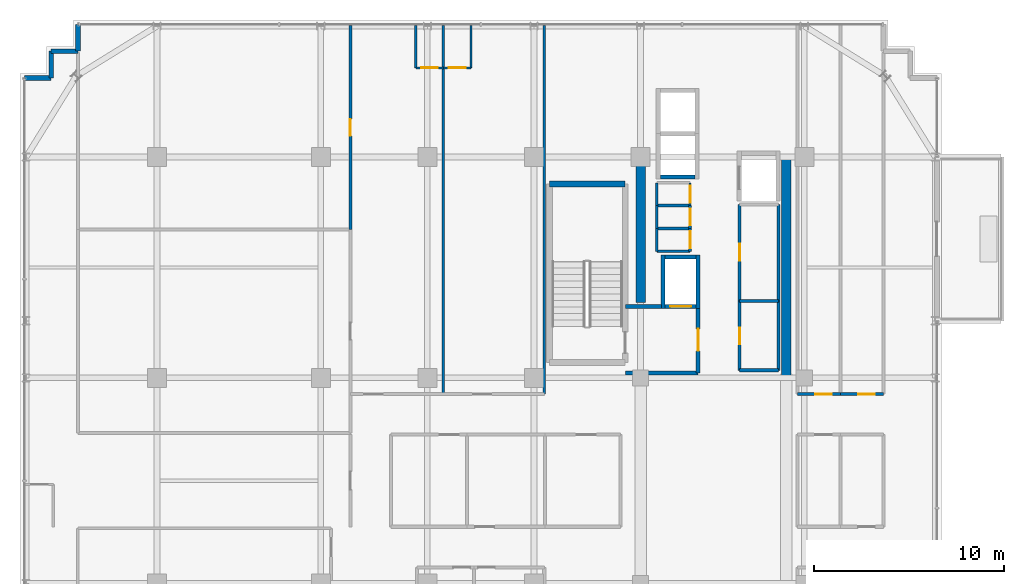
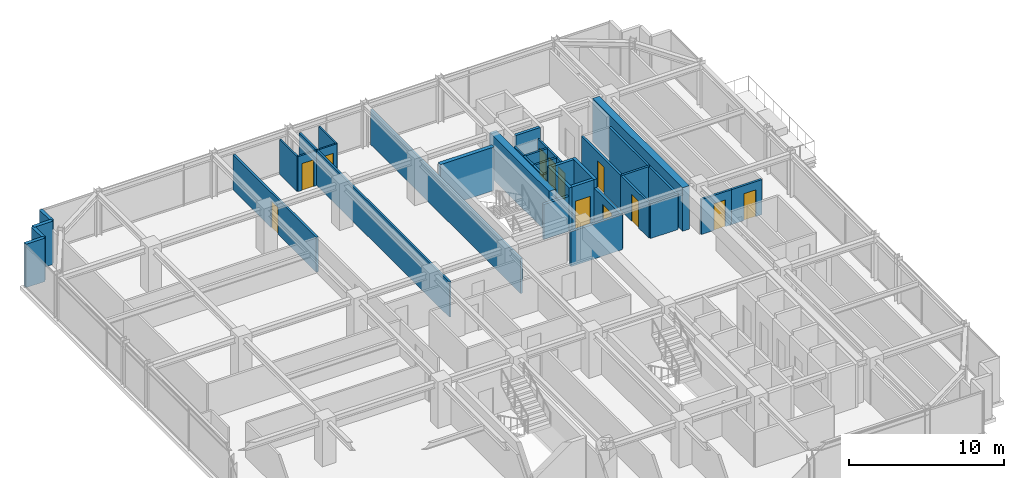
# One storey, part 32 of 36: 39 walls, 12 doors, 12 openings.
"""IFC4 building model written with IfcOpenShell, lengths in metres."""

from ifc_helpers import new_model, si_unit, direction, frame, frame_2d, origin, place, context, subcontext, project, spatial, rectangle, extrude, source, transform, mapped, material, layer, layer_set, type_object, element, fill, save


model = new_model("IFC4")

# Units and contexts
model_context = context("Model", 3, precision=1e-05, world=origin(), true_north=direction((0.0, 1.0)))
body_context = subcontext(model_context, "Body", "Model", "MODEL_VIEW")
ifc_project = project(units=[si_unit("LENGTHUNIT", "METRE"), si_unit("AREAUNIT", "SQUARE_METRE"), si_unit("VOLUMEUNIT", "CUBIC_METRE"), si_unit("PLANEANGLEUNIT", "RADIAN"), si_unit("MASSUNIT", "GRAM", prefix="KILO")], contexts=[model_context])

# Site, building, storey
site_placement = place(None, origin())
site = spatial("IfcSite", under=ifc_project, at=site_placement, CompositionType="ELEMENT")
building_placement = place(site_placement, origin())
building = spatial("IfcBuilding", under=site, at=building_placement, Name="Nahalor Promenade Grand Hotel", CompositionType="ELEMENT")
storey_placement = place(building_placement, frame((0.0, 0.0, 223.39990234375)))
storey = spatial("IfcBuildingStorey", under=building, at=storey_placement, Name="L57", CompositionType="ELEMENT", Elevation=223.39990234375)

# Walls
ifc_material_1 = material(Name="Concrete B-60 (C50/60)", Category="concrete")
ifc_layer_1 = layer(ifc_material_1, 0.5)
ifc_layer_set_1 = layer_set([ifc_layer_1], Name="Concrete B-60 (C50/60)")
wall_type_1 = type_object("IfcWallType", Name="Wall-CoreShear-500", PredefinedType="SHEAR", material=ifc_layer_set_1)
shared_shape_1 = source(origin(), body_context, "Body", "SweptSolid", [
    extrude(rectangle(XDim=7.64990234375, YDim=0.5, at=frame_2d((3.824951171875, 0.0))), origin(), (0.0, 0.0, 1.0), 3.41015625),
])
wall_1_placement = place(storey_placement, frame((8.39990234375, 9.35009765625, 0.0), z_axis=(0.0, 0.0, 1.0), x_axis=(0.0, 1.0, 0.0)))
element("IfcWall", 1, at=wall_1_placement, inside=storey, type_object=wall_type_1, Name="CWALL-L57-NW", PredefinedType="SHEAR", context=body_context, shape_type="MappedRepresentation", body=[
    mapped(shared_shape_1, transform((0.0, 0.0, 0.0), scale=1.0)),
])
shared_shape_2 = source(origin(), body_context, "Body", "SweptSolid", [
    extrude(rectangle(XDim=11.60009765625, YDim=0.5, at=frame_2d((5.800048828125, 0.0))), origin(), (0.0, 0.0, 1.0), 3.41015625),
])
wall_2_placement = place(storey_placement, frame((16.050048828125, 5.39990234375, 0.0), z_axis=(0.0, 0.0, 1.0), x_axis=(0.0, 1.0, 0.0)))
element("IfcWall", 2, at=wall_2_placement, inside=storey, type_object=wall_type_1, Name="CWALL-L57-NE", PredefinedType="SHEAR", context=body_context, shape_type="MappedRepresentation", body=[
    mapped(shared_shape_2, transform((0.0, 0.0, 0.0), scale=1.0)),
])
ifc_material_2 = material(Name="Concrete B-50 (C40/50)", Category="concrete")
ifc_layer_2 = layer(ifc_material_2, 0.300048828125)
ifc_layer_set_2 = layer_set([ifc_layer_2], Name="Concrete B-50 (C40/50)")
wall_type_2 = type_object("IfcWallType", Name="Wall-ShaftShear-300", PredefinedType="SHEAR", material=ifc_layer_set_2)
shared_shape_3 = source(origin(), body_context, "Body", "SweptSolid", [
    extrude(rectangle(XDim=3.97998046875, YDim=0.300048828125, at=frame_2d((1.989990234375, 0.0))), origin(), (0.0, 0.0, 1.0), 3.41015625),
])
wall_3_placement = place(storey_placement, frame((3.610107421875, 15.590087890625, 0.0), z_axis=(0.0, 0.0, 1.0), x_axis=(1.0, 0.0, 0.0)))
element("IfcWall", 3, at=wall_3_placement, inside=storey, type_object=wall_type_2, Name="L57 Exit Stair ST1 Shaft Wall N", PredefinedType="SHEAR", context=body_context, shape_type="MappedRepresentation", body=[
    mapped(shared_shape_3, transform((0.0, 0.0, 0.0), scale=1.0)),
])
ifc_layer_3 = layer(ifc_material_2, 0.219970703125)
ifc_layer_set_3 = layer_set([ifc_layer_3], Name="Concrete B-50 (C40/50)")
wall_type_3 = type_object("IfcWallType", Name="Wall-LiftShaft-220", PredefinedType="SHEAR", material=ifc_layer_set_3)
shared_shape_4 = source(origin(), body_context, "Body", "SweptSolid", [
    extrude(rectangle(XDim=1.820068359375, YDim=0.219970703125, at=frame_2d((0.91015625, 0.0))), origin(), (0.0, 0.0, 1.0), 3.41015625),
])
wall_4_placement = place(storey_placement, frame((9.43994140625, 15.949951171875, 0.0), z_axis=(0.0, 0.0, 1.0), x_axis=(1.0, 0.0, 0.0)))
element("IfcWall", 4, at=wall_4_placement, inside=storey, type_object=wall_type_3, Name="L57 Lift OB1 Hoistway Wall S", PredefinedType="SHEAR", context=body_context, shape_type="MappedRepresentation", body=[
    mapped(shared_shape_4, transform((0.0, 0.0, 0.0), scale=1.0)),
])
shared_shape_5 = source(origin(), body_context, "Body", "SweptSolid", [
    extrude(rectangle(XDim=2.820068359375, YDim=0.219970703125, at=frame_2d((1.41015625, 0.0))), origin(), (0.0, 0.0, 1.0), 3.41015625),
])
for number, where, z_axis, x_axis, name in (
    (5, (9.580078125, 9.0400390625, 0.0), (0.0, 0.0, 1.0), (0.0, 1.0, 0.0), "L57 Lift FL1 Hoistway Wall W"),
    (6, (11.419921875, 9.0400390625, 0.0), (0.0, 0.0, 1.0), (0.0, 1.0, 0.0), "L57 Lift FL1 Hoistway Wall E"),
):
    element("IfcWall", number, at=place(storey_placement, frame(where, z_axis=z_axis, x_axis=x_axis)), inside=storey, type_object=wall_type_3, Name=name, PredefinedType="SHEAR", context=body_context, shape_type="MappedRepresentation", body=[
        mapped(shared_shape_5, transform((0.0, 0.0, 0.0), scale=1.0)),
    ])

# Wall, opening, door
shared_shape_6 = source(origin(), body_context, "Body", "SweptSolid", [
    extrude(rectangle(XDim=1.6201171875, YDim=0.219970703125, at=frame_2d((0.81005859375, 0.0))), origin(), (0.0, 0.0, 1.0), 3.41015625),
])
wall_5_placement = place(storey_placement, frame((9.68994140625, 9.14990234375, 0.0), z_axis=(0.0, 0.0, 1.0), x_axis=(1.0, 0.0, 0.0)))
wall_5 = element("IfcWall", 7, at=wall_5_placement, inside=storey, type_object=wall_type_3, Name="L57 Lift FL1 Hoistway Wall S", PredefinedType="SHEAR", context=body_context, shape_type="MappedRepresentation", body=[
    mapped(shared_shape_6, transform((0.0, 0.0, 0.0), scale=1.0)),
])
opening_1_placement = place(wall_5_placement, frame((0.260009765625, 0.0, 0.0)))
opening_1 = element("IfcOpeningElement", 8, at=opening_1_placement, cuts=wall_5, Name="Opening LD-02", PredefinedType="OPENING", context=body_context, shape_type="SweptSolid", body=[
    extrude(rectangle(XDim=1.10009765625, YDim=2.199951171875, at=frame_2d((0.550048828125, 1.10009765625))), frame((0.0, 0.119873046875, 0.0), z_axis=(0.0, -1.0, 0.0), x_axis=(1.0, 0.0, 0.0)), (0.0, 0.0, 1.0), 0.239990234375),
])
ifc_material_3 = material(Name="Steel S355JR", Category="steel")
door_type_1 = type_object("IfcDoorType", Name="Door-LiftFF-1100", OperationType="DOUBLE_DOOR_SLIDING", PredefinedType="DOOR", material=ifc_material_3)
shared_shape_7 = source(origin(), body_context, "Body", "SweptSolid", [
    extrude(rectangle(XDim=1.10009765625, YDim=2.199951171875, at=frame_2d((0.550048828125, 1.10009765625))), frame((0.0, 0.02490234375, 0.0), z_axis=(0.0, -1.0, 0.0), x_axis=(1.0, 0.0, 0.0)), (0.0, 0.0, 1.0), 0.050048828125),
])
door_1_placement = place(opening_1_placement, frame((1.10009765625, 0.0, 0.0), z_axis=(0.0, 0.0, 1.0), x_axis=(-1.0, 0.0, 0.0)))
door_1 = element("IfcDoor", 9, at=door_1_placement, inside=storey, type_object=door_type_1, Name="DR-LIFT-FL1-L57", OperationType="DOUBLE_DOOR_SLIDING", OverallHeight=2.199951171875, OverallWidth=1.10009765625, PredefinedType="DOOR", context=body_context, shape_type="MappedRepresentation", body=[
    mapped(shared_shape_7, transform((0.0, 0.0, 0.0), scale=1.0)),
])
fill(opening_1, door_1)

# Walls
wall_6_placement = place(storey_placement, frame((9.68994140625, 11.75, 0.0), z_axis=(0.0, 0.0, 1.0), x_axis=(1.0, 0.0, 0.0)))
element("IfcWall", 10, at=wall_6_placement, inside=storey, type_object=wall_type_3, Name="L57 Lift FL1 Hoistway Wall N", PredefinedType="SHEAR", context=body_context, shape_type="MappedRepresentation", body=[
    mapped(shared_shape_6, transform((0.0, 0.0, 0.0), scale=1.0)),
])
ifc_material_4 = material(Name="Concrete B-40 (C32/40)", Category="concrete")
ifc_layer_4 = layer(ifc_material_4, 0.25)
ifc_layer_set_4 = layer_set([ifc_layer_4], Name="Concrete B-40 (C32/40)")
wall_type_4 = type_object("IfcWallType", Name="Wall-BronzePier-250", PredefinedType="STANDARD", material=ifc_layer_set_4)
shared_shape_8 = source(origin(), body_context, "Body", "SweptSolid", [
    extrude(rectangle(XDim=1.39990234375, YDim=0.25, at=frame_2d((0.699951171875, 0.0))), origin(), (0.0, 0.0, 1.0), 3.41015625),
])
for number, where, z_axis, x_axis, name in (
    (11, (-21.159912109375, 22.56005859375, 0.0), (0.0, 0.0, 1.0), (0.0, 1.0, 0.0), "W-L57-SR-09"),
    (12, (-23.9599609375, 21.159912109375, 0.0), (0.0, 0.0, 1.0), (1.0, 0.0, 0.0), "W-L57-SR-12"),
):
    element("IfcWall", number, at=place(storey_placement, frame(where, z_axis=z_axis, x_axis=x_axis)), inside=storey, type_object=wall_type_4, Name=name, PredefinedType="STANDARD", context=body_context, shape_type="MappedRepresentation", body=[
        mapped(shared_shape_8, transform((0.0, 0.0, 0.0), scale=1.0)),
    ])
shared_shape_9 = source(origin(), body_context, "Body", "SweptSolid", [
    extrude(rectangle(XDim=1.400146484375, YDim=0.25, at=frame_2d((0.7001953125, 0.0))), origin(), (0.0, 0.0, 1.0), 3.41015625),
])
for number, where, z_axis, x_axis, name in (
    (13, (-22.56005859375, 22.56005859375, 0.0), (0.0, 0.0, 1.0), (1.0, 0.0, 0.0), "W-L57-SR-10"),
    (14, (-22.56005859375, 21.159912109375, 0.0), (0.0, 0.0, 1.0), (0.0, 1.0, 0.0), "W-L57-SR-11"),
):
    element("IfcWall", number, at=place(storey_placement, frame(where, z_axis=z_axis, x_axis=x_axis)), inside=storey, type_object=wall_type_4, Name=name, PredefinedType="STANDARD", context=body_context, shape_type="MappedRepresentation", body=[
        mapped(shared_shape_9, transform((0.0, 0.0, 0.0), scale=1.0)),
    ])
ifc_layer_5 = layer(ifc_material_4, 0.199951171875)
ifc_layer_set_5 = layer_set([ifc_layer_5], Name="Concrete B-40 (C32/40)")
wall_type_5 = type_object("IfcWallType", Name="Wall-PartFire-200", PredefinedType="PARTITIONING", material=ifc_layer_set_5)
shared_shape_10 = source(origin(), body_context, "Body", "SweptSolid", [
    extrude(rectangle(XDim=3.81982421875, YDim=0.199951171875, at=frame_2d((1.909912109375, 0.0))), origin(), (0.0, 0.0, 1.0), 2.75),
])
wall_7_placement = place(storey_placement, frame((7.60009765625, 5.64990234375, 0.0), z_axis=(0.0, 0.0, 1.0), x_axis=(1.0, 0.0, 0.0)))
element("IfcWall", 15, at=wall_7_placement, inside=storey, type_object=wall_type_5, Name="W-L57-FF1-S", PredefinedType="PARTITIONING", context=body_context, shape_type="MappedRepresentation", body=[
    mapped(shared_shape_10, transform((0.0, 0.0, 0.0), scale=1.0)),
])
shared_shape_11 = source(origin(), body_context, "Body", "SweptSolid", [
    extrude(rectangle(XDim=1.89990234375, YDim=0.199951171875, at=frame_2d((0.949951171875, 0.0))), origin(), (0.0, 0.0, 1.0), 2.75),
])
wall_8_placement = place(storey_placement, frame((7.60009765625, 9.14990234375, 0.0), z_axis=(0.0, 0.0, 1.0), x_axis=(1.0, 0.0, 0.0)))
element("IfcWall", 16, at=wall_8_placement, inside=storey, type_object=wall_type_5, Name="W-L57-FF1-N", PredefinedType="PARTITIONING", context=body_context, shape_type="MappedRepresentation", body=[
    mapped(shared_shape_11, transform((0.0, 0.0, 0.0), scale=1.0)),
])

# Wall, opening, door
shared_shape_12 = source(origin(), body_context, "Body", "SweptSolid", [
    extrude(rectangle(XDim=3.5, YDim=0.199951171875, at=frame_2d((1.75, 0.0))), origin(), (0.0, 0.0, 1.0), 2.75),
])
wall_9_placement = place(storey_placement, frame((11.419921875, 5.64990234375, 0.0), z_axis=(0.0, 0.0, 1.0), x_axis=(0.0, 1.0, 0.0)))
wall_9 = element("IfcWall", 17, at=wall_9_placement, inside=storey, type_object=wall_type_5, Name="W-L57-FF1-E", PredefinedType="PARTITIONING", context=body_context, shape_type="MappedRepresentation", body=[
    mapped(shared_shape_12, transform((0.0, 0.0, 0.0), scale=1.0)),
])
opening_2_placement = place(wall_9_placement, frame((1.175048828125, 0.0, 0.0)))
opening_2 = element("IfcOpeningElement", 18, at=opening_2_placement, cuts=wall_9, Name="Opening D-FF1", PredefinedType="OPENING", context=body_context, shape_type="SweptSolid", body=[
    extrude(rectangle(XDim=1.14990234375, YDim=2.14990234375, at=frame_2d((0.574951171875, 1.074951171875))), frame((0.0, 0.10986328125, 0.0), z_axis=(0.0, -1.0, 0.0), x_axis=(1.0, 0.0, 0.0)), (0.0, 0.0, 1.0), 0.219970703125),
])
door_type_2 = type_object("IfcDoorType", Name="Door-FFLobby-1150", OperationType="NOTDEFINED", PredefinedType="DOOR", material=ifc_material_3)
shared_shape_13 = source(origin(), body_context, "Body", "SweptSolid", [
    extrude(rectangle(XDim=1.14990234375, YDim=2.14990234375, at=frame_2d((0.574951171875, 1.074951171875))), frame((0.0, 0.02490234375, 0.0), z_axis=(0.0, -1.0, 0.0), x_axis=(1.0, 0.0, 0.0)), (0.0, 0.0, 1.0), 0.050048828125),
])
door_2_placement = place(opening_2_placement, frame((1.14990234375, 0.0, 0.0), z_axis=(0.0, 0.0, 1.0), x_axis=(-1.0, 0.0, 0.0)))
door_2 = element("IfcDoor", 19, at=door_2_placement, inside=storey, type_object=door_type_2, Name="DR-L57-FFL1", OperationType="SINGLE_SWING_RIGHT", OverallHeight=2.14990234375, OverallWidth=1.14990234375, PredefinedType="DOOR", context=body_context, shape_type="MappedRepresentation", body=[
    mapped(shared_shape_13, transform((0.0, 0.0, 0.0), scale=1.0)),
])
fill(opening_2, door_2)

# Walls
ifc_material_5 = material(Name="Acoustic Mineral Gypsum", Category="gypsum")
ifc_layer_6 = layer(ifc_material_5, 0.14990234375)
ifc_layer_set_6 = layer_set([ifc_layer_6], Name="Acoustic Mineral Gypsum")
wall_type_6 = type_object("IfcWallType", Name="Wall-PartService-150", PredefinedType="PARTITIONING", material=ifc_layer_set_6)
shared_shape_14 = source(origin(), body_context, "Body", "SweptSolid", [
    extrude(rectangle(XDim=1.75, YDim=0.14990234375, at=frame_2d((0.875, 0.0))), origin(), (0.0, 0.0, 1.0), 2.75),
])
for number, where, z_axis, x_axis, name in (
    (20, (9.25, 12.050048828125, 0.0), (0.0, 0.0, 1.0), (1.0, 0.0, 0.0), "W-L57-CK3A-S"),
    (21, (9.25, 13.25, 0.0), (0.0, 0.0, 1.0), (1.0, 0.0, 0.0), "W-L57-CK3A-N"),
    (22, (9.25, 14.449951171875, 0.0), (0.0, 0.0, 1.0), (1.0, 0.0, 0.0), "W-L57-CK3B-N"),
):
    element("IfcWall", number, at=place(storey_placement, frame(where, z_axis=z_axis, x_axis=x_axis)), inside=storey, type_object=wall_type_6, Name=name, PredefinedType="PARTITIONING", context=body_context, shape_type="MappedRepresentation", body=[
        mapped(shared_shape_14, transform((0.0, 0.0, 0.0), scale=1.0)),
    ])
ifc_layer_7 = layer(ifc_material_5, 0.159912109375)
ifc_layer_set_7 = layer_set([ifc_layer_7], Name="Acoustic Mineral Gypsum")
wall_type_7 = type_object("IfcWallType", Name="Wall-PartCorridor-160", PredefinedType="PARTITIONING", material=ifc_layer_set_7)
shared_shape_15 = source(origin(), body_context, "Body", "SweptSolid", [
    extrude(rectangle(XDim=2.0498046875, YDim=0.159912109375, at=frame_2d((1.02490234375, 0.0))), origin(), (0.0, 0.0, 1.0), 2.75),
])
for number, where, z_axis, x_axis, name in (
    (23, (13.60009765625, 5.800048828125, 0.0), (0.0, 0.0, 1.0), (1.0, 0.0, 0.0), "W-L57-FRB1A-S"),
    (24, (13.60009765625, 9.449951171875, 0.0), (0.0, 0.0, 1.0), (1.0, 0.0, 0.0), "W-L57-FRB1A-N"),
):
    element("IfcWall", number, at=place(storey_placement, frame(where, z_axis=z_axis, x_axis=x_axis)), inside=storey, type_object=wall_type_7, Name=name, PredefinedType="PARTITIONING", context=body_context, shape_type="MappedRepresentation", body=[
        mapped(shared_shape_15, transform((0.0, 0.0, 0.0), scale=1.0)),
    ])

# Wall, opening, door
shared_shape_16 = source(origin(), body_context, "Body", "SweptSolid", [
    extrude(rectangle(XDim=2.255126953125, YDim=0.159912109375, at=frame_2d((1.12744140625, 0.0))), origin(), (0.0, 0.0, 1.0), 2.75),
])
wall_10_placement = place(storey_placement, frame((16.64990234375, 4.550048828125, 0.0), z_axis=(0.0, 0.0, 1.0), x_axis=(1.0, 0.0, 0.0)))
wall_10 = element("IfcWall", 25, at=wall_10_placement, inside=storey, type_object=wall_type_7, Name="W-L57-ENE1-S", PredefinedType="PARTITIONING", context=body_context, shape_type="MappedRepresentation", body=[
    mapped(shared_shape_16, transform((0.0, 0.0, 0.0), scale=1.0)),
])
opening_3_placement = place(wall_10_placement, frame((0.924072265625, 0.0, 0.0)))
opening_3 = element("IfcOpeningElement", 26, at=opening_3_placement, cuts=wall_10, Name="Opening D-03", PredefinedType="OPENING", context=body_context, shape_type="SweptSolid", body=[
    extrude(rectangle(XDim=0.8798828125, YDim=2.10009765625, at=frame_2d((0.43994140625, 1.050048828125))), frame((0.0, 0.08984375, 0.0), z_axis=(0.0, -1.0, 0.0), x_axis=(1.0, 0.0, 0.0)), (0.0, 0.0, 1.0), 0.179931640625),
])
ifc_material_6 = material(Name="Fire-Rated Timber Composite", Category="wood")
door_type_3 = type_object("IfcDoorType", Name="Door-BathSwing-880", OperationType="NOTDEFINED", PredefinedType="DOOR", material=ifc_material_6)
shared_shape_17 = source(origin(), body_context, "Body", "SweptSolid", [
    extrude(rectangle(XDim=0.8798828125, YDim=2.10009765625, at=frame_2d((0.43994140625, 1.050048828125))), frame((0.0, 0.02490234375, 0.0), z_axis=(0.0, -1.0, 0.0), x_axis=(1.0, 0.0, 0.0)), (0.0, 0.0, 1.0), 0.050048828125),
])
door_3_placement = place(opening_3_placement, origin())
door_3 = element("IfcDoor", 27, at=door_3_placement, inside=storey, type_object=door_type_3, Name="DR-L57-ENE1", OperationType="SINGLE_SWING_LEFT", OverallHeight=2.10009765625, OverallWidth=0.8798828125, PredefinedType="DOOR", context=body_context, shape_type="MappedRepresentation", body=[
    mapped(shared_shape_17, transform((0.0, 0.0, 0.0), scale=1.0)),
])
fill(opening_3, door_3)

shared_shape_18 = source(origin(), body_context, "Body", "SweptSolid", [
    extrude(rectangle(XDim=2.2548828125, YDim=0.159912109375, at=frame_2d((1.12744140625, 0.0))), origin(), (0.0, 0.0, 1.0), 2.75),
])
wall_11_placement = place(storey_placement, frame((18.905029296875, 4.550048828125, 0.0), z_axis=(0.0, 0.0, 1.0), x_axis=(1.0, 0.0, 0.0)))
wall_11 = element("IfcWall", 28, at=wall_11_placement, inside=storey, type_object=wall_type_7, Name="W-L57-ENE2-S", PredefinedType="PARTITIONING", context=body_context, shape_type="MappedRepresentation", body=[
    mapped(shared_shape_18, transform((0.0, 0.0, 0.0), scale=1.0)),
])
opening_4_placement = place(wall_11_placement, frame((0.924072265625, 0.0, 0.0)))
opening_4 = element("IfcOpeningElement", 29, at=opening_4_placement, cuts=wall_11, Name="Opening D-03", PredefinedType="OPENING", context=body_context, shape_type="SweptSolid", body=[
    extrude(rectangle(XDim=0.8798828125, YDim=2.10009765625, at=frame_2d((0.43994140625, 1.050048828125))), frame((0.0, 0.08984375, 0.0), z_axis=(0.0, -1.0, 0.0), x_axis=(1.0, 0.0, 0.0)), (0.0, 0.0, 1.0), 0.179931640625),
])
door_4_placement = place(opening_4_placement, origin())
door_4 = element("IfcDoor", 30, at=door_4_placement, inside=storey, type_object=door_type_3, Name="DR-L57-ENE2", OperationType="SINGLE_SWING_RIGHT", OverallHeight=2.10009765625, OverallWidth=0.8798828125, PredefinedType="DOOR", context=body_context, shape_type="MappedRepresentation", body=[
    mapped(shared_shape_17, transform((0.0, 0.0, 0.0), scale=1.0)),
])
fill(opening_4, door_4)

ifc_layer_8 = layer(ifc_material_5, 0.1201171875)
ifc_layer_set_8 = layer_set([ifc_layer_8], Name="Acoustic Mineral Gypsum")
wall_type_8 = type_object("IfcWallType", Name="Wall-PartBath-120", PredefinedType="PARTITIONING", material=ifc_layer_set_8)
shared_shape_19 = source(origin(), body_context, "Body", "SweptSolid", [
    extrude(rectangle(XDim=1.449951171875, YDim=0.1201171875, at=frame_2d((0.72509765625, 0.0))), origin(), (0.0, 0.0, 1.0), 2.75),
])
wall_12_placement = place(storey_placement, frame((-3.408935546875, 21.679931640625, 0.0), z_axis=(0.0, 0.0, 1.0), x_axis=(1.0, 0.0, 0.0)))
wall_12 = element("IfcWall", 31, at=wall_12_placement, inside=storey, type_object=wall_type_8, Name="W-L57-N1-BH", PredefinedType="PARTITIONING", context=body_context, shape_type="MappedRepresentation", body=[
    mapped(shared_shape_19, transform((0.0, 0.0, 0.0), scale=1.0)),
])
opening_5_placement = place(wall_12_placement, frame((0.284912109375, 0.0, 0.0)))
opening_5 = element("IfcOpeningElement", 32, at=opening_5_placement, cuts=wall_12, Name="Opening D-03", PredefinedType="OPENING", context=body_context, shape_type="SweptSolid", body=[
    extrude(rectangle(XDim=0.8798828125, YDim=2.10009765625, at=frame_2d((0.43994140625, 1.050048828125))), frame((0.0, 0.070068359375, 0.0), z_axis=(0.0, -1.0, 0.0), x_axis=(1.0, 0.0, 0.0)), (0.0, 0.0, 1.0), 0.14013671875),
])
door_5_placement = place(opening_5_placement, origin())
door_5 = element("IfcDoor", 33, at=door_5_placement, inside=storey, type_object=door_type_3, Name="DR-L57-N1-BATH", OperationType="SINGLE_SWING_LEFT", OverallHeight=2.10009765625, OverallWidth=0.8798828125, PredefinedType="DOOR", context=body_context, shape_type="MappedRepresentation", body=[
    mapped(shared_shape_17, transform((0.0, 0.0, 0.0), scale=1.0)),
])
fill(opening_5, door_5)

wall_13_placement = place(storey_placement, frame((-1.958984375, 21.679931640625, 0.0), z_axis=(0.0, 0.0, 1.0), x_axis=(1.0, 0.0, 0.0)))
wall_13 = element("IfcWall", 34, at=wall_13_placement, inside=storey, type_object=wall_type_8, Name="W-L57-N2-BH", PredefinedType="PARTITIONING", context=body_context, shape_type="MappedRepresentation", body=[
    mapped(shared_shape_19, transform((0.0, 0.0, 0.0), scale=1.0)),
])
opening_6_placement = place(wall_13_placement, frame((0.284912109375, 0.0, 0.0)))
opening_6 = element("IfcOpeningElement", 35, at=opening_6_placement, cuts=wall_13, Name="Opening D-03", PredefinedType="OPENING", context=body_context, shape_type="SweptSolid", body=[
    extrude(rectangle(XDim=0.8798828125, YDim=2.10009765625, at=frame_2d((0.43994140625, 1.050048828125))), frame((0.0, 0.070068359375, 0.0), z_axis=(0.0, -1.0, 0.0), x_axis=(1.0, 0.0, 0.0)), (0.0, 0.0, 1.0), 0.14013671875),
])
door_6_placement = place(opening_6_placement, origin())
door_6 = element("IfcDoor", 36, at=door_6_placement, inside=storey, type_object=door_type_3, Name="DR-L57-N2-BATH", OperationType="SINGLE_SWING_LEFT", OverallHeight=2.10009765625, OverallWidth=0.8798828125, PredefinedType="DOOR", context=body_context, shape_type="MappedRepresentation", body=[
    mapped(shared_shape_17, transform((0.0, 0.0, 0.0), scale=1.0)),
])
fill(opening_6, door_6)

# Walls
shared_shape_20 = source(origin(), body_context, "Body", "SweptSolid", [
    extrude(rectangle(XDim=2.219970703125, YDim=0.1201171875, at=frame_2d((1.10986328125, 0.0))), origin(), (0.0, 0.0, 1.0), 2.75),
])
for number, where, z_axis, x_axis, name in (
    (37, (-3.408935546875, 21.679931640625, 0.0), (0.0, 0.0, 1.0), (0.0, 1.0, 0.0), "W-L57-N1-BV"),
    (38, (-0.509033203125, 21.679931640625, 0.0), (0.0, 0.0, 1.0), (0.0, 1.0, 0.0), "W-L57-N2-BV"),
):
    element("IfcWall", number, at=place(storey_placement, frame(where, z_axis=z_axis, x_axis=x_axis)), inside=storey, type_object=wall_type_8, Name=name, PredefinedType="PARTITIONING", context=body_context, shape_type="MappedRepresentation", body=[
        mapped(shared_shape_20, transform((0.0, 0.0, 0.0), scale=1.0)),
    ])
ifc_layer_9 = layer(ifc_material_5, 0.139892578125)
ifc_layer_set_9 = layer_set([ifc_layer_9], Name="Acoustic Mineral Gypsum")
wall_type_9 = type_object("IfcWallType", Name="Wall-PartSuite-140", PredefinedType="PARTITIONING", material=ifc_layer_set_9)
shared_shape_21 = source(origin(), body_context, "Body", "SweptSolid", [
    extrude(rectangle(XDim=19.349853515625, YDim=0.139892578125, at=frame_2d((9.6748046875, 0.0))), origin(), (0.0, 0.0, 1.0), 2.75),
])
for number, where, z_axis, x_axis, name in (
    (39, (3.340087890625, 4.550048828125, 0.0), (0.0, 0.0, 1.0), (0.0, 1.0, 0.0), "W-L57-NW-ENDE"),
    (40, (-1.958984375, 4.550048828125, 0.0), (0.0, 0.0, 1.0), (0.0, 1.0, 0.0), "W-L57-NP-1"),
):
    element("IfcWall", number, at=place(storey_placement, frame(where, z_axis=z_axis, x_axis=x_axis)), inside=storey, type_object=wall_type_9, Name=name, PredefinedType="PARTITIONING", context=body_context, shape_type="MappedRepresentation", body=[
        mapped(shared_shape_21, transform((0.0, 0.0, 0.0), scale=1.0)),
    ])
shared_shape_22 = source(origin(), body_context, "Body", "SweptSolid", [
    extrude(rectangle(XDim=1.199951171875, YDim=0.14990234375, at=frame_2d((0.60009765625, 0.0))), origin(), (0.0, 0.0, 1.0), 2.75),
])
wall_14_placement = place(storey_placement, frame((9.25, 12.050048828125, 0.0), z_axis=(0.0, 0.0, 1.0), x_axis=(0.0, 1.0, 0.0)))
element("IfcWall", 41, at=wall_14_placement, inside=storey, type_object=wall_type_6, Name="W-L57-CK3A-W", PredefinedType="PARTITIONING", context=body_context, shape_type="MappedRepresentation", body=[
    mapped(shared_shape_22, transform((0.0, 0.0, 0.0), scale=1.0)),
])

# Wall, opening, door
wall_15_placement = place(storey_placement, frame((11.0, 12.050048828125, 0.0), z_axis=(0.0, 0.0, 1.0), x_axis=(0.0, 1.0, 0.0)))
wall_15 = element("IfcWall", 42, at=wall_15_placement, inside=storey, type_object=wall_type_6, Name="W-L57-CK3A-E", PredefinedType="PARTITIONING", context=body_context, shape_type="MappedRepresentation", body=[
    mapped(shared_shape_22, transform((0.0, 0.0, 0.0), scale=1.0)),
])
opening_7_placement = place(wall_15_placement, frame((0.159912109375, 0.0, 0.0)))
opening_7 = element("IfcOpeningElement", 43, at=opening_7_placement, cuts=wall_15, Name="Opening D-03", PredefinedType="OPENING", context=body_context, shape_type="SweptSolid", body=[
    extrude(rectangle(XDim=0.8798828125, YDim=2.10009765625, at=frame_2d((0.43994140625, 1.050048828125))), frame((0.0, 0.0849609375, 0.0), z_axis=(0.0, -1.0, 0.0), x_axis=(1.0, 0.0, 0.0)), (0.0, 0.0, 1.0), 0.169921875),
])
door_7_placement = place(opening_7_placement, origin())
door_7 = element("IfcDoor", 44, at=door_7_placement, inside=storey, type_object=door_type_3, Name="DR-L57-CK3A", OperationType="SINGLE_SWING_RIGHT", OverallHeight=2.10009765625, OverallWidth=0.8798828125, PredefinedType="DOOR", context=body_context, shape_type="MappedRepresentation", body=[
    mapped(shared_shape_17, transform((0.0, 0.0, 0.0), scale=1.0)),
])
fill(opening_7, door_7)

# Wall
wall_16_placement = place(storey_placement, frame((9.25, 13.25, 0.0), z_axis=(0.0, 0.0, 1.0), x_axis=(0.0, 1.0, 0.0)))
element("IfcWall", 45, at=wall_16_placement, inside=storey, type_object=wall_type_6, Name="W-L57-CK3B-W", PredefinedType="PARTITIONING", context=body_context, shape_type="MappedRepresentation", body=[
    mapped(shared_shape_22, transform((0.0, 0.0, 0.0), scale=1.0)),
])

# Wall, opening, door
wall_17_placement = place(storey_placement, frame((11.0, 13.25, 0.0), z_axis=(0.0, 0.0, 1.0), x_axis=(0.0, 1.0, 0.0)))
wall_17 = element("IfcWall", 46, at=wall_17_placement, inside=storey, type_object=wall_type_6, Name="W-L57-CK3B-E", PredefinedType="PARTITIONING", context=body_context, shape_type="MappedRepresentation", body=[
    mapped(shared_shape_22, transform((0.0, 0.0, 0.0), scale=1.0)),
])
opening_8_placement = place(wall_17_placement, frame((0.159912109375, 0.0, 0.0)))
opening_8 = element("IfcOpeningElement", 47, at=opening_8_placement, cuts=wall_17, Name="Opening D-03", PredefinedType="OPENING", context=body_context, shape_type="SweptSolid", body=[
    extrude(rectangle(XDim=0.8798828125, YDim=2.10009765625, at=frame_2d((0.43994140625, 1.050048828125))), frame((0.0, 0.0849609375, 0.0), z_axis=(0.0, -1.0, 0.0), x_axis=(1.0, 0.0, 0.0)), (0.0, 0.0, 1.0), 0.169921875),
])
door_8_placement = place(opening_8_placement, origin())
door_8 = element("IfcDoor", 48, at=door_8_placement, inside=storey, type_object=door_type_3, Name="DR-L57-CK3B", OperationType="SINGLE_SWING_LEFT", OverallHeight=2.10009765625, OverallWidth=0.8798828125, PredefinedType="DOOR", context=body_context, shape_type="MappedRepresentation", body=[
    mapped(shared_shape_17, transform((0.0, 0.0, 0.0), scale=1.0)),
])
fill(opening_8, door_8)

# Wall
shared_shape_23 = source(origin(), body_context, "Body", "SweptSolid", [
    extrude(rectangle(XDim=1.199951171875, YDim=0.1201171875, at=frame_2d((0.60009765625, 0.0))), origin(), (0.0, 0.0, 1.0), 2.75),
])
wall_18_placement = place(storey_placement, frame((9.25, 14.449951171875, 0.0), z_axis=(0.0, 0.0, 1.0), x_axis=(0.0, 1.0, 0.0)))
element("IfcWall", 49, at=wall_18_placement, inside=storey, type_object=wall_type_8, Name="W-L57-CK3C-W", PredefinedType="PARTITIONING", context=body_context, shape_type="MappedRepresentation", body=[
    mapped(shared_shape_23, transform((0.0, 0.0, 0.0), scale=1.0)),
])

# Wall, opening, door
wall_19_placement = place(storey_placement, frame((11.0, 14.449951171875, 0.0), z_axis=(0.0, 0.0, 1.0), x_axis=(0.0, 1.0, 0.0)))
wall_19 = element("IfcWall", 50, at=wall_19_placement, inside=storey, type_object=wall_type_8, Name="W-L57-CK3C-E", PredefinedType="PARTITIONING", context=body_context, shape_type="MappedRepresentation", body=[
    mapped(shared_shape_23, transform((0.0, 0.0, 0.0), scale=1.0)),
])
opening_9_placement = place(wall_19_placement, frame((0.159912109375, 0.0, 0.0)))
opening_9 = element("IfcOpeningElement", 51, at=opening_9_placement, cuts=wall_19, Name="Opening D-03", PredefinedType="OPENING", context=body_context, shape_type="SweptSolid", body=[
    extrude(rectangle(XDim=0.8798828125, YDim=2.10009765625, at=frame_2d((0.43994140625, 1.050048828125))), frame((0.0, 0.070068359375, 0.0), z_axis=(0.0, -1.0, 0.0), x_axis=(1.0, 0.0, 0.0)), (0.0, 0.0, 1.0), 0.14013671875),
])
door_9_placement = place(opening_9_placement, origin())
door_9 = element("IfcDoor", 52, at=door_9_placement, inside=storey, type_object=door_type_3, Name="DR-L57-CK3C", OperationType="SINGLE_SWING_RIGHT", OverallHeight=2.10009765625, OverallWidth=0.8798828125, PredefinedType="DOOR", context=body_context, shape_type="MappedRepresentation", body=[
    mapped(shared_shape_17, transform((0.0, 0.0, 0.0), scale=1.0)),
])
fill(opening_9, door_9)

shared_shape_24 = source(origin(), body_context, "Body", "SweptSolid", [
    extrude(rectangle(XDim=3.64990234375, YDim=0.159912109375, at=frame_2d((1.824951171875, 0.0))), origin(), (0.0, 0.0, 1.0), 2.75),
])
wall_20_placement = place(storey_placement, frame((13.60009765625, 5.800048828125, 0.0), z_axis=(0.0, 0.0, 1.0), x_axis=(0.0, 1.0, 0.0)))
wall_20 = element("IfcWall", 53, at=wall_20_placement, inside=storey, type_object=wall_type_7, Name="W-L57-FRB1A-W", PredefinedType="PARTITIONING", context=body_context, shape_type="MappedRepresentation", body=[
    mapped(shared_shape_24, transform((0.0, 0.0, 0.0), scale=1.0)),
])
opening_10_placement = place(wall_20_placement, frame((1.360107421875, 0.0, 0.0)))
opening_10 = element("IfcOpeningElement", 54, at=opening_10_placement, cuts=wall_20, Name="Opening D-03", PredefinedType="OPENING", context=body_context, shape_type="SweptSolid", body=[
    extrude(rectangle(XDim=0.8798828125, YDim=2.10009765625, at=frame_2d((0.43994140625, 1.050048828125))), frame((0.0, 0.08984375, 0.0), z_axis=(0.0, -1.0, 0.0), x_axis=(1.0, 0.0, 0.0)), (0.0, 0.0, 1.0), 0.179931640625),
])
door_10_placement = place(opening_10_placement, frame((0.8798828125, 0.0, 0.0), z_axis=(0.0, 0.0, 1.0), x_axis=(-1.0, 0.0, 0.0)))
door_10 = element("IfcDoor", 55, at=door_10_placement, inside=storey, type_object=door_type_3, Name="DR-L57-FRB1A", OperationType="SINGLE_SWING_LEFT", OverallHeight=2.10009765625, OverallWidth=0.8798828125, PredefinedType="DOOR", context=body_context, shape_type="MappedRepresentation", body=[
    mapped(shared_shape_17, transform((0.0, 0.0, 0.0), scale=1.0)),
])
fill(opening_10, door_10)

# Wall
wall_21_placement = place(storey_placement, frame((15.64990234375, 5.800048828125, 0.0), z_axis=(0.0, 0.0, 1.0), x_axis=(0.0, 1.0, 0.0)))
element("IfcWall", 56, at=wall_21_placement, inside=storey, type_object=wall_type_7, Name="W-L57-FRB1A-E", PredefinedType="PARTITIONING", context=body_context, shape_type="MappedRepresentation", body=[
    mapped(shared_shape_24, transform((0.0, 0.0, 0.0), scale=1.0)),
])

# Wall, opening, door
shared_shape_25 = source(origin(), body_context, "Body", "SweptSolid", [
    extrude(rectangle(XDim=5.050048828125, YDim=0.159912109375, at=frame_2d((2.52490234375, 0.0))), origin(), (0.0, 0.0, 1.0), 2.75),
])
wall_22_placement = place(storey_placement, frame((13.60009765625, 9.449951171875, 0.0), z_axis=(0.0, 0.0, 1.0), x_axis=(0.0, 1.0, 0.0)))
wall_22 = element("IfcWall", 57, at=wall_22_placement, inside=storey, type_object=wall_type_7, Name="W-L57-FRB1B-W", PredefinedType="PARTITIONING", context=body_context, shape_type="MappedRepresentation", body=[
    mapped(shared_shape_25, transform((0.0, 0.0, 0.0), scale=1.0)),
])
opening_11_placement = place(wall_22_placement, frame((2.110107421875, 0.0, 0.0)))
opening_11 = element("IfcOpeningElement", 58, at=opening_11_placement, cuts=wall_22, Name="Opening D-03", PredefinedType="OPENING", context=body_context, shape_type="SweptSolid", body=[
    extrude(rectangle(XDim=0.8798828125, YDim=2.10009765625, at=frame_2d((0.43994140625, 1.050048828125))), frame((0.0, 0.08984375, 0.0), z_axis=(0.0, -1.0, 0.0), x_axis=(1.0, 0.0, 0.0)), (0.0, 0.0, 1.0), 0.179931640625),
])
door_11_placement = place(opening_11_placement, frame((0.8798828125, 0.0, 0.0), z_axis=(0.0, 0.0, 1.0), x_axis=(-1.0, 0.0, 0.0)))
door_11 = element("IfcDoor", 59, at=door_11_placement, inside=storey, type_object=door_type_3, Name="DR-L57-FRB1B", OperationType="SINGLE_SWING_RIGHT", OverallHeight=2.10009765625, OverallWidth=0.8798828125, PredefinedType="DOOR", context=body_context, shape_type="MappedRepresentation", body=[
    mapped(shared_shape_17, transform((0.0, 0.0, 0.0), scale=1.0)),
])
fill(opening_11, door_11)

# Wall
wall_23_placement = place(storey_placement, frame((15.64990234375, 9.449951171875, 0.0), z_axis=(0.0, 0.0, 1.0), x_axis=(0.0, 1.0, 0.0)))
element("IfcWall", 60, at=wall_23_placement, inside=storey, type_object=wall_type_7, Name="W-L57-FRB1B-E", PredefinedType="PARTITIONING", context=body_context, shape_type="MappedRepresentation", body=[
    mapped(shared_shape_25, transform((0.0, 0.0, 0.0), scale=1.0)),
])

# Wall, opening, door
shared_shape_26 = source(origin(), body_context, "Body", "SweptSolid", [
    extrude(rectangle(XDim=10.699951171875, YDim=0.159912109375, at=frame_2d((5.35009765625, 0.0))), origin(), (0.0, 0.0, 1.0), 2.75),
])
wall_24_placement = place(storey_placement, frame((-6.85009765625, 13.199951171875, 0.0), z_axis=(0.0, 0.0, 1.0), x_axis=(0.0, 1.0, 0.0)))
wall_24 = element("IfcWall", 61, at=wall_24_placement, inside=storey, type_object=wall_type_7, Name="W-L57-NW0B-E", PredefinedType="PARTITIONING", context=body_context, shape_type="MappedRepresentation", body=[
    mapped(shared_shape_26, transform((0.0, 0.0, 0.0), scale=1.0)),
])
opening_12_placement = place(wall_24_placement, frame((4.909912109375, 0.0, 0.0)))
opening_12 = element("IfcOpeningElement", 62, at=opening_12_placement, cuts=wall_24, Name="Opening D-03", PredefinedType="OPENING", context=body_context, shape_type="SweptSolid", body=[
    extrude(rectangle(XDim=0.8798828125, YDim=2.10009765625, at=frame_2d((0.43994140625, 1.050048828125))), frame((0.0, 0.08984375, 0.0), z_axis=(0.0, -1.0, 0.0), x_axis=(1.0, 0.0, 0.0)), (0.0, 0.0, 1.0), 0.179931640625),
])
door_12_placement = place(opening_12_placement, origin())
door_12 = element("IfcDoor", 63, at=door_12_placement, inside=storey, type_object=door_type_3, Name="DR-L57-NW0B", OperationType="SINGLE_SWING_RIGHT", OverallHeight=2.10009765625, OverallWidth=0.8798828125, PredefinedType="DOOR", context=body_context, shape_type="MappedRepresentation", body=[
    mapped(shared_shape_17, transform((0.0, 0.0, 0.0), scale=1.0)),
])
fill(opening_12, door_12)

save(model, "model.ifc")
